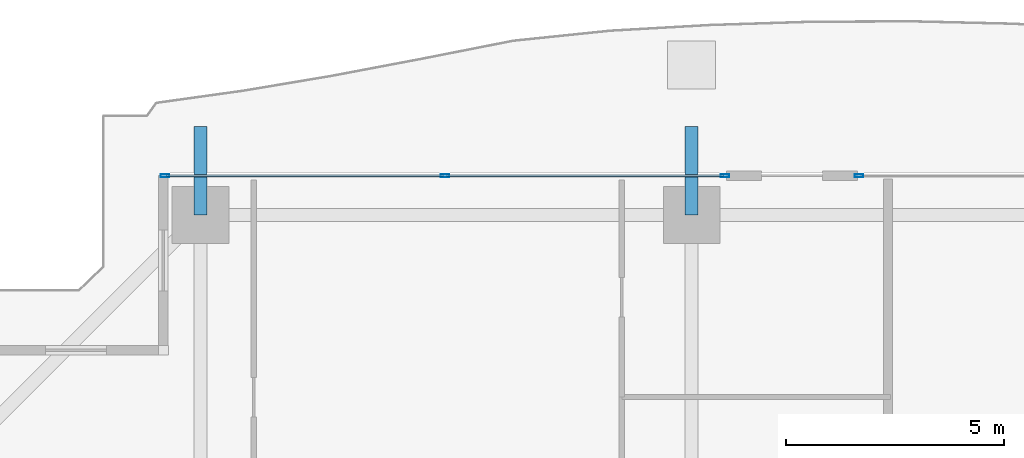
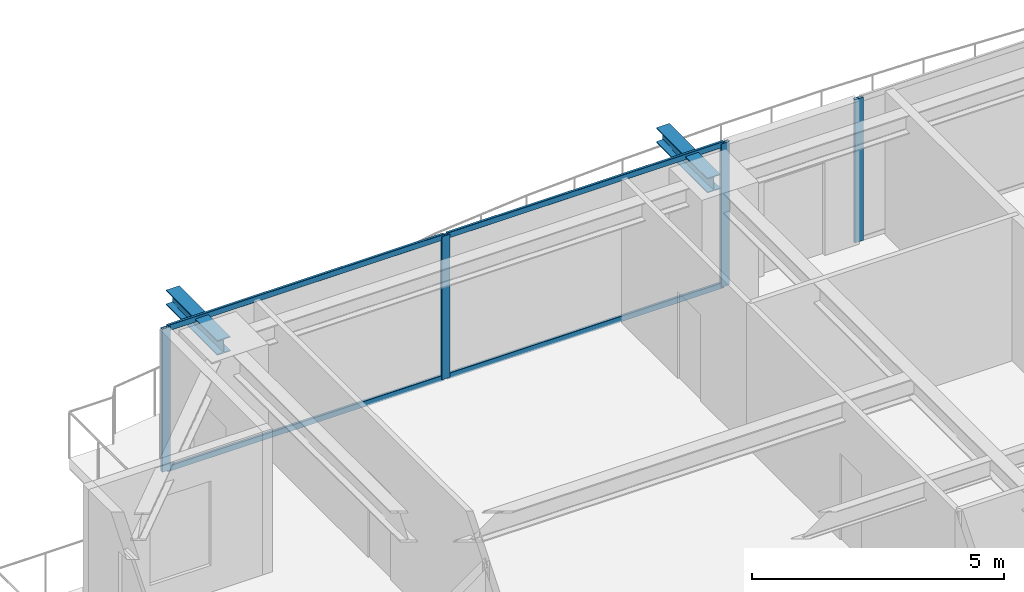
# One storey, part 21 of 37: 8 members, 2 beams, 2 elements without a shape of their own.
"""IFC4 building model written with IfcOpenShell, lengths in metres."""

from ifc_helpers import new_model, si_unit, direction, frame, origin, origin_2d, place, context, subcontext, project, spatial, hollow_rectangle, i_section, extrude, source, transform, mapped, material, layer, layer_set, material_profile, profile_set, type_object, element, aggregate, save


model = new_model("IFC4")

# Units and contexts
model_context = context("Model", 3, precision=1e-05, world=origin(), true_north=direction((0.0, 1.0)))
body_context = subcontext(model_context, "Body", "Model", "MODEL_VIEW")
ifc_project = project(units=[si_unit("LENGTHUNIT", "METRE"), si_unit("AREAUNIT", "SQUARE_METRE"), si_unit("VOLUMEUNIT", "CUBIC_METRE"), si_unit("PLANEANGLEUNIT", "RADIAN"), si_unit("MASSUNIT", "GRAM", prefix="KILO")], contexts=[model_context])

# Site, building, storey
site_placement = place(None, origin())
site = spatial("IfcSite", under=ifc_project, at=site_placement, CompositionType="ELEMENT")
building_placement = place(site_placement, origin())
building = spatial("IfcBuilding", under=site, at=building_placement, Name="Serunith Strait Residences", CompositionType="ELEMENT")
storey_placement = place(building_placement, frame((0.0, 0.0, 127.64990234375)))
storey = spatial("IfcBuildingStorey", under=building, at=storey_placement, Name="L31", CompositionType="ELEMENT", Elevation=127.64990234375)

# Beams
ifc_material_1 = material(Name="Steel S355J2", Category="steel")
ifc_material_profile_1 = material_profile(ifc_material_1, i_section(OverallWidth=0.300048828125, OverallDepth=0.360107421875, WebThickness=0.012451171875, FlangeThickness=0.0224609375, FilletRadius=0.027099609375, at=origin_2d()), Name="HEB 360")
ifc_profile_set_1 = profile_set([ifc_material_profile_1], Name="Steel S355J2")
beam_type = type_object("IfcBeamType", Name="BM-HEB360", PredefinedType="BEAM", material=ifc_profile_set_1)
shared_shape_1 = source(origin(), body_context, "Body", "SweptSolid", [
    extrude(i_section(OverallWidth=0.300048828125, OverallDepth=0.360107421875, WebThickness=0.012451171875, FlangeThickness=0.0224609375, FilletRadius=0.027099609375, at=origin_2d()), origin(), (0.0, 0.0, 1.0), 2.02978515625),
])
for number, where, z_axis, x_axis, name in (
    (1, (16.64990234375, 48.10009765625, 3.277099609375), (0.0, 1.0, 0.0), (-1.0, 0.0, 0.0), "L32 Cantilevered Balcony Rib TC-N1"),
    (2, (27.89990234375, 48.10009765625, 3.277099609375), (0.0, 1.0, 0.0), (-1.0, 0.0, 0.0), "L32 Cantilevered Balcony Rib TC-N2"),
):
    element("IfcBeam", number, at=place(storey_placement, frame(where, z_axis=z_axis, x_axis=x_axis)), inside=storey, type_object=beam_type, Name=name, PredefinedType="BEAM", context=body_context, shape_type="MappedRepresentation", body=[
        mapped(shared_shape_1, transform((0.0, 0.0, 0.0), scale=1.0)),
    ])

# Curtain wall, member
ifc_material_2 = material(Name="Pale-Champagne Anodised Aluminium", Category="aluminium")
ifc_layer = layer(ifc_material_2, 0.199951171875, Name="Pale-Champagne Anodised Aluminium")
ifc_layer_set = layer_set([ifc_layer], Name="Pale-Champagne Anodised Aluminium")
curtain_wall_type = type_object("IfcCurtainWallType", Name="CW-SYS2", PredefinedType="NOTDEFINED", material=ifc_layer_set)
curtain_wall_1_placement = place(storey_placement, origin())
curtain_wall_1 = element("IfcCurtainWall", 3, at=curtain_wall_1_placement, inside=storey, type_object=curtain_wall_type, Name="L31 N Unitised Fritted Curtain Wall", PredefinedType="NOTDEFINED")
ifc_material_profile_2 = material_profile(ifc_material_2, hollow_rectangle(XDim=0.070068359375, YDim=0.199951171875, WallThickness=0.00390625, InnerFilletRadius=0.006103515625, OuterFilletRadius=0.010009765625, at=origin_2d()), Name="ALU 200x70x4")
ifc_profile_set_2 = profile_set([ifc_material_profile_2], Name="Pale-Champagne Anodised Aluminium")
member_type_1 = type_object("IfcMemberType", Name="CW-SYS2-MULL", PredefinedType="MULLION", material=ifc_profile_set_2)
shared_shape_2 = source(origin(), body_context, "Body", "SweptSolid", [
    extrude(hollow_rectangle(XDim=0.070068359375, YDim=0.199951171875, WallThickness=0.00390625, InnerFilletRadius=0.006103515625, OuterFilletRadius=0.010009765625, at=origin_2d()), origin(), (0.0, 0.0, 1.0), 3.47509765625),
])
member_1_placement = place(storey_placement, frame((31.735107421875, 49.0, 0.0), z_axis=(0.0, 0.0, 1.0), x_axis=(0.0, -1.0, 0.0)))
member_1 = element("IfcMember", 4, at=member_1_placement, type_object=member_type_1, Name="CW-2 mullion 4", PredefinedType="MULLION", context=body_context, shape_type="MappedRepresentation", body=[
    mapped(shared_shape_2, transform((0.0, 0.0, 0.0), scale=1.0)),
])
aggregate(curtain_wall_1, [member_1])

# Curtain wall, members
curtain_wall_2_placement = place(storey_placement, origin())
curtain_wall_2 = element("IfcCurtainWall", 5, at=curtain_wall_2_placement, inside=storey, type_object=curtain_wall_type, Name="L31 N Unitised Fritted Curtain Wall", PredefinedType="NOTDEFINED")
member_2_placement = place(storey_placement, frame((28.6650390625, 49.0, 0.0), z_axis=(0.0, 0.0, 1.0), x_axis=(0.0, -1.0, 0.0)))
member_2 = element("IfcMember", 6, at=member_2_placement, type_object=member_type_1, Name="CW-2 mullion 1", PredefinedType="MULLION", context=body_context, shape_type="MappedRepresentation", body=[
    mapped(shared_shape_2, transform((0.0, 0.0, 0.0), scale=1.0)),
])
member_3_placement = place(storey_placement, frame((22.25, 49.0, 0.0), z_axis=(0.0, 0.0, 1.0), x_axis=(0.0, -1.0, 0.0)))
member_3 = element("IfcMember", 7, at=member_3_placement, type_object=member_type_1, Name="CW-2 mullion 2", PredefinedType="MULLION", context=body_context, shape_type="MappedRepresentation", body=[
    mapped(shared_shape_2, transform((0.0, 0.0, 0.0), scale=1.0)),
])
member_4_placement = place(storey_placement, frame((15.8349609375, 49.0, 0.0), z_axis=(0.0, 0.0, 1.0), x_axis=(0.0, -1.0, 0.0)))
member_4 = element("IfcMember", 8, at=member_4_placement, type_object=member_type_1, Name="CW-2 mullion 3", PredefinedType="MULLION", context=body_context, shape_type="MappedRepresentation", body=[
    mapped(shared_shape_2, transform((0.0, 0.0, 0.0), scale=1.0)),
])
ifc_material_profile_3 = material_profile(ifc_material_2, hollow_rectangle(XDim=0.06005859375, YDim=0.139892578125, WallThickness=0.00341796875, InnerFilletRadius=0.00537109375, OuterFilletRadius=0.0087890625, at=origin_2d()), Name="ALU 140x60x3.5")
ifc_profile_set_3 = profile_set([ifc_material_profile_3], Name="Pale-Champagne Anodised Aluminium")
member_type_2 = type_object("IfcMemberType", Name="CW-SYS2-TRAN", PredefinedType="USERDEFINED", material=ifc_profile_set_3)
shared_shape_3 = source(origin(), body_context, "Body", "SweptSolid", [
    extrude(hollow_rectangle(XDim=0.06005859375, YDim=0.139892578125, WallThickness=0.00341796875, InnerFilletRadius=0.00537109375, OuterFilletRadius=0.0087890625, at=origin_2d()), origin(), (0.0, 0.0, 1.0), 6.344970703125),
])
member_5_placement = place(storey_placement, frame((28.6298828125, 49.0, 0.030029296875), z_axis=(-1.0, 0.0, 0.0), x_axis=(0.0, -1.0, 0.0)))
member_5 = element("IfcMember", 9, at=member_5_placement, type_object=member_type_2, Name="CW-2 transom 1.1", ObjectType="TRANSOM", PredefinedType="USERDEFINED", context=body_context, shape_type="MappedRepresentation", body=[
    mapped(shared_shape_3, transform((0.0, 0.0, 0.0), scale=1.0)),
])
member_6_placement = place(storey_placement, frame((28.6298828125, 49.0, 3.445068359375), z_axis=(-1.0, 0.0, 0.0), x_axis=(0.0, -1.0, 0.0)))
member_6 = element("IfcMember", 10, at=member_6_placement, type_object=member_type_2, Name="CW-2 transom 1.2", ObjectType="TRANSOM", PredefinedType="USERDEFINED", context=body_context, shape_type="MappedRepresentation", body=[
    mapped(shared_shape_3, transform((0.0, 0.0, 0.0), scale=1.0)),
])
member_7_placement = place(storey_placement, frame((22.215087890625, 49.0, 0.030029296875), z_axis=(-1.0, 0.0, 0.0), x_axis=(0.0, -1.0, 0.0)))
member_7 = element("IfcMember", 11, at=member_7_placement, type_object=member_type_2, Name="CW-2 transom 2.1", ObjectType="TRANSOM", PredefinedType="USERDEFINED", context=body_context, shape_type="MappedRepresentation", body=[
    mapped(shared_shape_3, transform((0.0, 0.0, 0.0), scale=1.0)),
])
member_8_placement = place(storey_placement, frame((22.215087890625, 49.0, 3.445068359375), z_axis=(-1.0, 0.0, 0.0), x_axis=(0.0, -1.0, 0.0)))
member_8 = element("IfcMember", 12, at=member_8_placement, type_object=member_type_2, Name="CW-2 transom 2.2", ObjectType="TRANSOM", PredefinedType="USERDEFINED", context=body_context, shape_type="MappedRepresentation", body=[
    mapped(shared_shape_3, transform((0.0, 0.0, 0.0), scale=1.0)),
])
aggregate(curtain_wall_2, [member_2, member_3, member_4, member_5, member_6, member_7, member_8])

save(model, "model.ifc")
